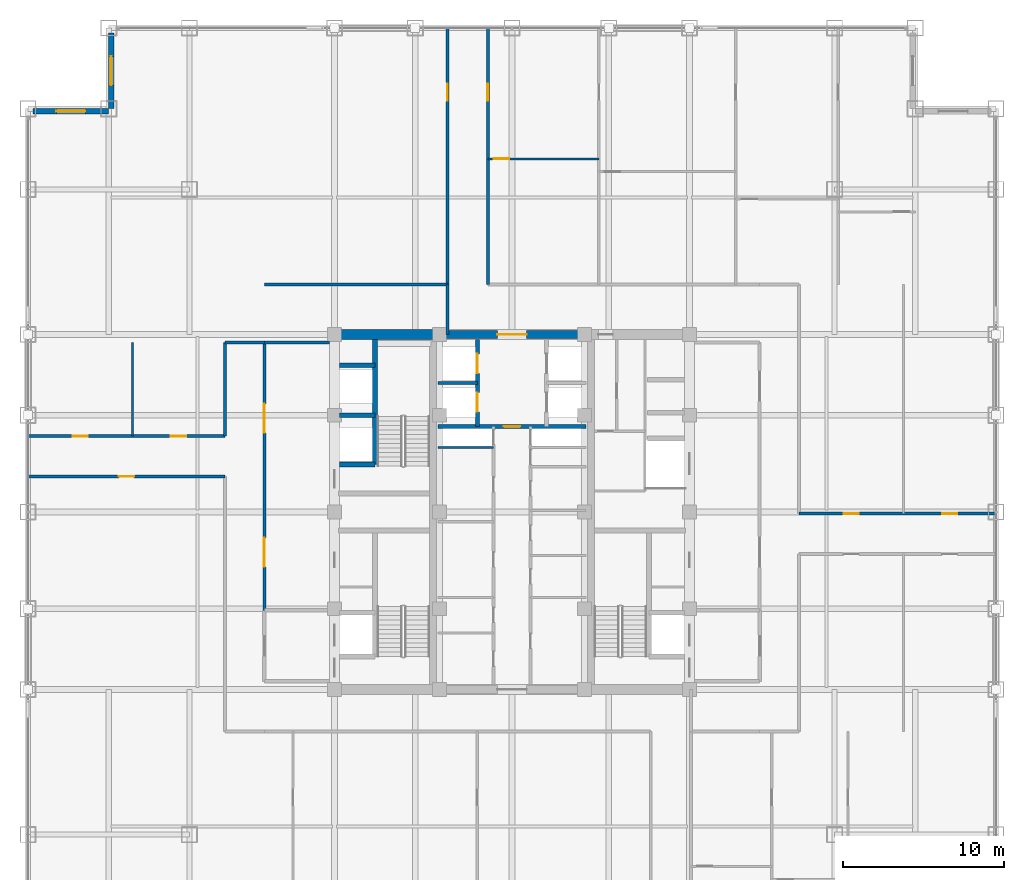
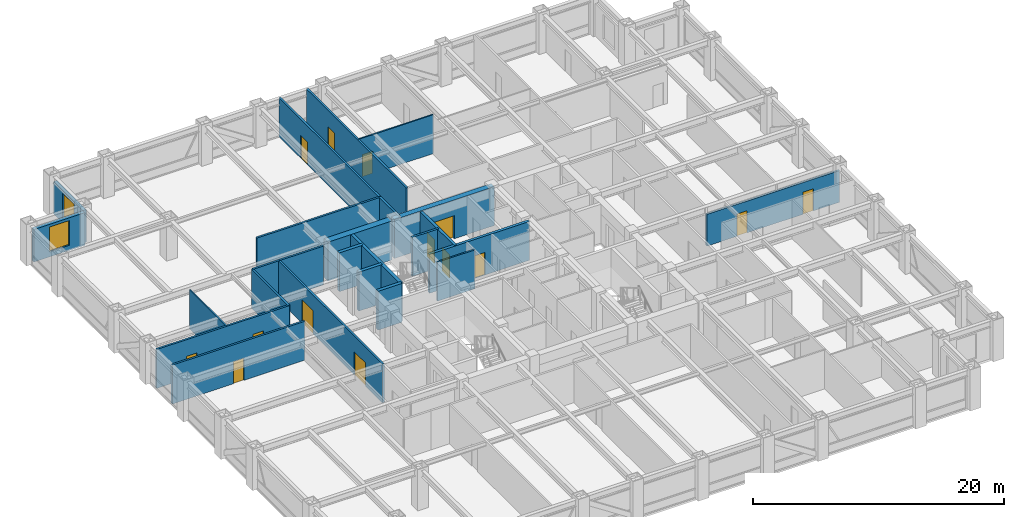
# One storey, part 22 of 25: 25 walls, 14 doors, 2 windows, 16 openings.
"""IFC4 building model written with IfcOpenShell, lengths in metres."""

from ifc_helpers import new_model, si_unit, direction, frame, frame_2d, origin, place, context, subcontext, project, spatial, rectangle, extrude, source, transform, mapped, material, layer, layer_set, type_object, element, fill, save


model = new_model("IFC4")

# Units and contexts
model_context = context("Model", 3, precision=1e-05, world=origin(), true_north=direction((0.0, 1.0)))
body_context = subcontext(model_context, "Body", "Model", "MODEL_VIEW")
ifc_project = project(units=[si_unit("LENGTHUNIT", "METRE"), si_unit("AREAUNIT", "SQUARE_METRE"), si_unit("VOLUMEUNIT", "CUBIC_METRE"), si_unit("PLANEANGLEUNIT", "RADIAN"), si_unit("MASSUNIT", "GRAM", prefix="KILO")], contexts=[model_context])

# Site, building, storey
site_placement = place(None, origin())
site = spatial("IfcSite", under=ifc_project, at=site_placement, CompositionType="ELEMENT")
building_placement = place(site_placement, origin())
building = spatial("IfcBuilding", under=site, at=building_placement, Name="Khorayat Bourse Tower", CompositionType="ELEMENT")
storey_placement = place(building_placement, frame((0.0, 0.0, 247.10009765625)))
storey = spatial("IfcBuildingStorey", under=building, at=storey_placement, Name="L58", CompositionType="ELEMENT", Elevation=247.10009765625)

# Wall, opening, door
ifc_material_1 = material(Name="Concrete C52/65", Category="concrete")
ifc_layer_1 = layer(ifc_material_1, 0.5)
ifc_layer_set_1 = layer_set([ifc_layer_1], Name="Concrete C52/65")
wall_type_1 = type_object("IfcWallType", Name="WAL-CORE-500", PredefinedType="SHEAR", material=ifc_layer_set_1)
shared_shape_1 = source(origin(), body_context, "Body", "SweptSolid", [
    extrude(rectangle(XDim=9.2001953125, YDim=0.5, at=frame_2d((4.60009765625, 0.0))), origin(), (0.0, 0.0, 1.0), 3.77978515625),
])
wall_1_placement = place(storey_placement, frame((-4.60009765625, 11.0, 0.0), z_axis=(0.0, 0.0, 1.0), x_axis=(1.0, 0.0, 0.0)))
wall_1 = element("IfcWall", 1, at=wall_1_placement, inside=storey, type_object=wall_type_1, Name="L58 Core Shear Wall CORE-N", PredefinedType="SHEAR", context=body_context, shape_type="MappedRepresentation", body=[
    mapped(shared_shape_1, transform((0.0, 0.0, 0.0), scale=1.0)),
])
shared_shape_2 = source(origin(), body_context, "Body", "SweptSolid", [
    extrude(rectangle(XDim=1.800048828125, YDim=2.25, at=frame_2d((0.89990234375, 1.125))), frame((0.0, 0.260009765625, 0.0), z_axis=(0.0, -1.0, 0.0), x_axis=(1.0, 0.0, 0.0)), (0.0, 0.0, 1.0), 0.52001953125),
])
opening_1_placement = place(wall_1_placement, frame((3.699951171875, 0.0, 0.0)))
opening_1 = element("IfcOpeningElement", 2, at=opening_1_placement, cuts=wall_1, Name="Opening DI-03", PredefinedType="OPENING", context=body_context, shape_type="MappedRepresentation", body=[
    mapped(shared_shape_2, transform((0.0, 0.0, 0.0), scale=1.0)),
])
ifc_material_2 = material(Name="Fire-rated hardwood vision-panel double leaf", Category="wood")
door_type_1 = type_object("IfcDoorType", Name="DR-INT-CORR-1800", OperationType="NOTDEFINED", PredefinedType="DOOR", material=ifc_material_2)
shared_shape_3 = source(origin(), body_context, "Body", "SweptSolid", [
    extrude(rectangle(XDim=1.800048828125, YDim=2.25, at=frame_2d((0.89990234375, 1.125))), frame((0.0, 0.02490234375, 0.0), z_axis=(0.0, -1.0, 0.0), x_axis=(1.0, 0.0, 0.0)), (0.0, 0.0, 1.0), 0.050048828125),
])
door_1_placement = place(opening_1_placement, origin())
door_1 = element("IfcDoor", 3, at=door_1_placement, inside=storey, type_object=door_type_1, Name="L58 Mid-Rise Lift Lobby Door", OperationType="SINGLE_SWING_RIGHT", OverallHeight=2.25, OverallWidth=1.800048828125, PredefinedType="DOOR", context=body_context, shape_type="MappedRepresentation", body=[
    mapped(shared_shape_3, transform((0.0, 0.0, 0.0), scale=1.0)),
])
fill(opening_1, door_1)

# Wall
ifc_material_3 = material(Name="Concrete C60/75", Category="concrete")
ifc_layer_2 = layer(ifc_material_3, 0.60009765625)
ifc_layer_set_2 = layer_set([ifc_layer_2], Name="Concrete C60/75")
wall_type_2 = type_object("IfcWallType", Name="WAL-CORE-600", PredefinedType="SHEAR", material=ifc_layer_set_2)
shared_shape_4 = source(origin(), body_context, "Body", "SweptSolid", [
    extrude(rectangle(XDim=5.89990234375, YDim=0.60009765625, at=frame_2d((2.949951171875, 0.0))), origin(), (0.0, 0.0, 1.0), 3.77978515625),
])
wall_2_placement = place(storey_placement, frame((-10.75, 11.0, 0.0), z_axis=(0.0, 0.0, 1.0), x_axis=(1.0, 0.0, 0.0)))
element("IfcWall", 4, at=wall_2_placement, inside=storey, type_object=wall_type_2, Name="L58 Core Shear Wall PIER-WN", PredefinedType="SHEAR", context=body_context, shape_type="MappedRepresentation", body=[
    mapped(shared_shape_4, transform((0.0, 0.0, 0.0), scale=1.0)),
])

# Wall, opening, window
ifc_material_4 = material(Name="Precast concrete C45/55", Category="concrete")
ifc_layer_3 = layer(ifc_material_4, 0.320068359375)
ifc_layer_set_3 = layer_set([ifc_layer_3], Name="Precast concrete C45/55")
wall_type_3 = type_object("IfcWallType", Name="WAL-EXT-STONE-320", PredefinedType="STANDARD", material=ifc_layer_set_3)
shared_shape_5 = source(origin(), body_context, "Body", "SweptSolid", [
    extrude(rectangle(XDim=4.679931640625, YDim=0.320068359375, at=frame_2d((2.33984375, 0.0))), origin(), (0.0, 0.0, 1.0), 3.163818359375),
])
wall_3_placement = place(storey_placement, frame((-24.840087890625, 25.0, 0.0), z_axis=(0.0, 0.0, 1.0), x_axis=(0.0, 1.0, 0.0)))
wall_3 = element("IfcWall", 5, at=wall_3_placement, inside=storey, type_object=wall_type_3, Name="L58 Re-Entrant Notch Limestone Wall NW-V", PredefinedType="STANDARD", context=body_context, shape_type="MappedRepresentation", body=[
    mapped(shared_shape_5, transform((0.0, 0.0, 0.0), scale=1.0)),
])
shared_shape_6 = source(origin(), body_context, "Body", "SweptSolid", [
    extrude(rectangle(XDim=1.800048828125, YDim=2.39990234375, at=frame_2d((0.89990234375, 1.199951171875))), frame((0.0, 0.169921875, 0.0), z_axis=(0.0, -1.0, 0.0), x_axis=(1.0, 0.0, 0.0)), (0.0, 0.0, 1.0), 0.340087890625),
])
opening_2_placement = place(wall_3_placement, frame((1.43994140625, 0.0, 0.5)))
opening_2 = element("IfcOpeningElement", 6, at=opening_2_placement, cuts=wall_3, Name="Opening WN-04", PredefinedType="OPENING", context=body_context, shape_type="MappedRepresentation", body=[
    mapped(shared_shape_6, transform((0.0, 0.0, 0.0), scale=1.0)),
])
ifc_material_5 = material(Name="Low-E acoustic laminated double glazing", Category="glass")
window_type = type_object("IfcWindowType", Name="WIN-NOTCH-1800x2400", PartitioningType="SINGLE_PANEL", PredefinedType="WINDOW", material=ifc_material_5)
shared_shape_7 = source(origin(), body_context, "Body", "SweptSolid", [
    extrude(rectangle(XDim=1.800048828125, YDim=2.39990234375, at=frame_2d((0.89990234375, 1.199951171875))), frame((0.0, 0.030029296875, 0.0), z_axis=(0.0, -1.0, 0.0), x_axis=(1.0, 0.0, 0.0)), (0.0, 0.0, 1.0), 0.06005859375),
])
window_1_placement = place(opening_2_placement, origin())
window_1 = element("IfcWindow", 7, at=window_1_placement, inside=storey, type_object=window_type, Name="L58 Facade Window 1", OverallHeight=2.39990234375, OverallWidth=1.800048828125, PartitioningType="SINGLE_PANEL", PredefinedType="WINDOW", context=body_context, shape_type="MappedRepresentation", body=[
    mapped(shared_shape_7, transform((0.0, 0.0, 0.0), scale=1.0)),
])
fill(opening_2, window_1)

wall_4_placement = place(storey_placement, frame((-25.0, 24.840087890625, 0.0), z_axis=(0.0, 0.0, 1.0), x_axis=(-1.0, 0.0, 0.0)))
wall_4 = element("IfcWall", 8, at=wall_4_placement, inside=storey, type_object=wall_type_3, Name="L58 Re-Entrant Notch Limestone Wall NW-H", PredefinedType="STANDARD", context=body_context, shape_type="MappedRepresentation", body=[
    mapped(shared_shape_5, transform((0.0, 0.0, 0.0), scale=1.0)),
])
opening_3_placement = place(wall_4_placement, frame((1.43994140625, 0.0, 0.5)))
opening_3 = element("IfcOpeningElement", 9, at=opening_3_placement, cuts=wall_4, Name="Opening WN-04", PredefinedType="OPENING", context=body_context, shape_type="MappedRepresentation", body=[
    mapped(shared_shape_6, transform((0.0, 0.0, 0.0), scale=1.0)),
])
window_2_placement = place(opening_3_placement, origin())
window_2 = element("IfcWindow", 10, at=window_2_placement, inside=storey, type_object=window_type, Name="L58 Facade Window 1", OverallHeight=2.39990234375, OverallWidth=1.800048828125, PartitioningType="SINGLE_PANEL", PredefinedType="WINDOW", context=body_context, shape_type="MappedRepresentation", body=[
    mapped(shared_shape_7, transform((0.0, 0.0, 0.0), scale=1.0)),
])
fill(opening_3, window_2)

# Walls
ifc_material_6 = material(Name="Concrete C50/60", Category="concrete")
ifc_layer_4 = layer(ifc_material_6, 0.300048828125)
ifc_layer_set_4 = layer_set([ifc_layer_4], Name="Concrete C50/60")
wall_type_4 = type_object("IfcWallType", Name="WAL-SHAFT-300", PredefinedType="SHEAR", material=ifc_layer_set_4)
shared_shape_8 = source(origin(), body_context, "Body", "SweptSolid", [
    extrude(rectangle(XDim=2.199951171875, YDim=0.300048828125, at=frame_2d((1.10009765625, 0.0))), origin(), (0.0, 0.0, 1.0), 3.77978515625),
])
for number, where, z_axis, x_axis, name in (
    (11, (-10.699951171875, 2.949951171875, 0.0), (0.0, 0.0, 1.0), (1.0, 0.0, 0.0), "L58 Partition WAL-L58-WPIER-H1S"),
    (12, (-10.699951171875, 6.0, 0.0), (0.0, 0.0, 1.0), (1.0, 0.0, 0.0), "L58 Partition WAL-L58-WPIER-H12"),
    (13, (-10.699951171875, 9.10009765625, 0.0), (0.0, 0.0, 1.0), (1.0, 0.0, 0.0), "L58 Partition WAL-L58-WPIER-H2N"),
):
    element("IfcWall", number, at=place(storey_placement, frame(where, z_axis=z_axis, x_axis=x_axis)), inside=storey, type_object=wall_type_4, Name=name, PredefinedType="SHEAR", context=body_context, shape_type="MappedRepresentation", body=[
        mapped(shared_shape_8, transform((0.0, 0.0, 0.0), scale=1.0)),
    ])
shared_shape_9 = source(origin(), body_context, "Body", "SweptSolid", [
    extrude(rectangle(XDim=7.75, YDim=0.300048828125, at=frame_2d((3.875, 0.0))), origin(), (0.0, 0.0, 1.0), 3.77978515625),
])
wall_5_placement = place(storey_placement, frame((-8.5, 2.949951171875, 0.0), z_axis=(0.0, 0.0, 1.0), x_axis=(0.0, 1.0, 0.0)))
element("IfcWall", 14, at=wall_5_placement, inside=storey, type_object=wall_type_4, Name="L58 Partition WAL-L58-WPIER-ST2S", PredefinedType="SHEAR", context=body_context, shape_type="MappedRepresentation", body=[
    mapped(shared_shape_9, transform((0.0, 0.0, 0.0), scale=1.0)),
])
ifc_material_7 = material(Name="Gypsum plasterboard acoustic stud wall")
ifc_layer_5 = layer(ifc_material_7, 0.179931640625)
ifc_layer_set_5 = layer_set([ifc_layer_5], Name="Gypsum plasterboard acoustic stud wall")
wall_type_5 = type_object("IfcWallType", Name="WAL-PART-CORR-180", PredefinedType="PARTITIONING", material=ifc_layer_set_5)
shared_shape_10 = source(origin(), body_context, "Body", "SweptSolid", [
    extrude(rectangle(XDim=4.050048828125, YDim=0.179931640625, at=frame_2d((2.02490234375, 0.0))), origin(), (0.0, 0.0, 1.0), 3.77978515625),
])
wall_6_placement = place(storey_placement, frame((-15.35009765625, 10.5, 0.0), z_axis=(0.0, 0.0, 1.0), x_axis=(1.0, 0.0, 0.0)))
element("IfcWall", 15, at=wall_6_placement, inside=storey, type_object=wall_type_5, Name="L58 Partition WAL-L58-WLOB-N", PredefinedType="PARTITIONING", context=body_context, shape_type="MappedRepresentation", body=[
    mapped(shared_shape_10, transform((0.0, 0.0, 0.0), scale=1.0)),
])

# Wall, openings, doors
shared_shape_11 = source(origin(), body_context, "Body", "SweptSolid", [
    extrude(rectangle(XDim=16.60009765625, YDim=0.179931640625, at=frame_2d((8.300048828125, 0.0))), origin(), (0.0, 0.0, 1.0), 3.77978515625),
])
wall_7_placement = place(storey_placement, frame((-15.35009765625, -6.10009765625, 0.0), z_axis=(0.0, 0.0, 1.0), x_axis=(0.0, 1.0, 0.0)))
wall_7 = element("IfcWall", 16, at=wall_7_placement, inside=storey, type_object=wall_type_5, Name="L58 Partition WAL-L58-WLOB-W", PredefinedType="PARTITIONING", context=body_context, shape_type="MappedRepresentation", body=[
    mapped(shared_shape_11, transform((0.0, 0.0, 0.0), scale=1.0)),
])
shared_shape_12 = source(origin(), body_context, "Body", "SweptSolid", [
    extrude(rectangle(XDim=1.800048828125, YDim=2.25, at=frame_2d((0.89990234375, 1.125))), frame((0.0, 0.099853515625, 0.0), z_axis=(0.0, -1.0, 0.0), x_axis=(1.0, 0.0, 0.0)), (0.0, 0.0, 1.0), 0.199951171875),
])
opening_4_placement = place(wall_7_placement, frame((2.699951171875, 0.0, 0.0)))
opening_4 = element("IfcOpeningElement", 17, at=opening_4_placement, cuts=wall_7, Name="Opening DI-03", PredefinedType="OPENING", context=body_context, shape_type="MappedRepresentation", body=[
    mapped(shared_shape_12, transform((0.0, 0.0, 0.0), scale=1.0)),
])
opening_5_placement = place(wall_7_placement, frame((11.0, 0.0, 0.0)))
opening_5 = element("IfcOpeningElement", 18, at=opening_5_placement, cuts=wall_7, Name="Opening DI-03", PredefinedType="OPENING", context=body_context, shape_type="MappedRepresentation", body=[
    mapped(shared_shape_12, transform((0.0, 0.0, 0.0), scale=1.0)),
])
door_2_placement = place(opening_4_placement, origin())
door_2 = element("IfcDoor", 19, at=door_2_placement, inside=storey, type_object=door_type_1, Name="L58 West Core Lobby South Door", OperationType="SINGLE_SWING_LEFT", OverallHeight=2.25, OverallWidth=1.800048828125, PredefinedType="DOOR", context=body_context, shape_type="MappedRepresentation", body=[
    mapped(shared_shape_3, transform((0.0, 0.0, 0.0), scale=1.0)),
])
fill(opening_4, door_2)
door_3_placement = place(opening_5_placement, origin())
door_3 = element("IfcDoor", 20, at=door_3_placement, inside=storey, type_object=door_type_1, Name="L58 West Core Lobby North Door", OperationType="SINGLE_SWING_RIGHT", OverallHeight=2.25, OverallWidth=1.800048828125, PredefinedType="DOOR", context=body_context, shape_type="MappedRepresentation", body=[
    mapped(shared_shape_3, transform((0.0, 0.0, 0.0), scale=1.0)),
])
fill(opening_5, door_3)

# Wall
ifc_material_8 = material(Name="Gypsum plasterboard twin-frame partition")
ifc_layer_6 = layer(ifc_material_8, 0.14990234375)
ifc_layer_set_6 = layer_set([ifc_layer_6], Name="Gypsum plasterboard twin-frame partition")
wall_type_6 = type_object("IfcWallType", Name="WAL-PART-SUITE-150", PredefinedType="PARTITIONING", material=ifc_layer_set_6)
shared_shape_13 = source(origin(), body_context, "Body", "SweptSolid", [
    extrude(rectangle(XDim=3.4501953125, YDim=0.14990234375, at=frame_2d((1.72509765625, 0.0))), origin(), (0.0, 0.0, 1.0), 3.77978515625),
])
wall_8_placement = place(storey_placement, frame((-4.60009765625, 4.0, 0.0), z_axis=(0.0, 0.0, 1.0), x_axis=(1.0, 0.0, 0.0)))
element("IfcWall", 21, at=wall_8_placement, inside=storey, type_object=wall_type_6, Name="L58 Partition WAL-L58-CRSW-S", PredefinedType="PARTITIONING", context=body_context, shape_type="MappedRepresentation", body=[
    mapped(shared_shape_13, transform((0.0, 0.0, 0.0), scale=1.0)),
])

# Wall, openings, doors
shared_shape_14 = source(origin(), body_context, "Body", "SweptSolid", [
    extrude(rectangle(XDim=5.39990234375, YDim=0.25, at=frame_2d((2.699951171875, 0.0))), origin(), (0.0, 0.0, 1.0), 3.77978515625),
])
wall_9_placement = place(storey_placement, frame((-2.14990234375, 5.300048828125, 0.0), z_axis=(0.0, 0.0, 1.0), x_axis=(0.0, 1.0, 0.0)))
wall_9 = element("IfcWall", 22, at=wall_9_placement, inside=storey, type_object=wall_type_4, Name="L58 Partition WAL-L58-B2-W", PredefinedType="SHEAR", context=body_context, shape_type="MappedRepresentation", body=[
    mapped(shared_shape_14, transform((0.0, 0.0, 0.0), scale=1.0)),
])
shared_shape_15 = source(origin(), body_context, "Body", "SweptSolid", [
    extrude(rectangle(XDim=1.199951171875, YDim=2.300048828125, at=frame_2d((0.60009765625, 1.14990234375))), frame((0.0, 0.135009765625, 0.0), z_axis=(0.0, -1.0, 0.0), x_axis=(1.0, 0.0, 0.0)), (0.0, 0.0, 1.0), 0.27001953125),
])
opening_6_placement = place(wall_9_placement, frame((3.300048828125, 0.0, 0.0)))
opening_6 = element("IfcOpeningElement", 23, at=opening_6_placement, cuts=wall_9, Name="Opening LD-01", PredefinedType="OPENING", context=body_context, shape_type="MappedRepresentation", body=[
    mapped(shared_shape_15, transform((0.0, 0.0, 0.0), scale=1.0)),
])
opening_7_placement = place(wall_9_placement, frame((0.89990234375, 0.0, 0.0)))
opening_7 = element("IfcOpeningElement", 24, at=opening_7_placement, cuts=wall_9, Name="Opening LD-01", PredefinedType="OPENING", context=body_context, shape_type="MappedRepresentation", body=[
    mapped(shared_shape_15, transform((0.0, 0.0, 0.0), scale=1.0)),
])
ifc_material_9 = material(Name="Brushed bronze stainless-steel sliding door", Category="steel")
door_type_2 = type_object("IfcDoorType", Name="DR-LIFT-PASS-1200", OperationType="NOTDEFINED", PredefinedType="DOOR", material=ifc_material_9)
shared_shape_16 = source(origin(), body_context, "Body", "SweptSolid", [
    extrude(rectangle(XDim=1.199951171875, YDim=2.300048828125, at=frame_2d((0.60009765625, 1.14990234375))), frame((0.0, 0.02490234375, 0.0), z_axis=(0.0, -1.0, 0.0), x_axis=(1.0, 0.0, 0.0)), (0.0, 0.0, 1.0), 0.050048828125),
])
door_4_placement = place(opening_6_placement, origin())
door_4 = element("IfcDoor", 25, at=door_4_placement, inside=storey, type_object=door_type_2, Name="L58 Lift PL-M1 Sliding Landing Door", OperationType="SLIDING_TO_LEFT", OverallHeight=2.300048828125, OverallWidth=1.199951171875, PredefinedType="DOOR", context=body_context, shape_type="MappedRepresentation", body=[
    mapped(shared_shape_16, transform((0.0, 0.0, 0.0), scale=1.0)),
])
fill(opening_6, door_4)
door_5_placement = place(opening_7_placement, origin())
door_5 = element("IfcDoor", 26, at=door_5_placement, inside=storey, type_object=door_type_2, Name="L58 Lift PL-M3 Sliding Landing Door", OperationType="SLIDING_TO_LEFT", OverallHeight=2.300048828125, OverallWidth=1.199951171875, PredefinedType="DOOR", context=body_context, shape_type="MappedRepresentation", body=[
    mapped(shared_shape_16, transform((0.0, 0.0, 0.0), scale=1.0)),
])
fill(opening_7, door_5)

# Wall
shared_shape_17 = source(origin(), body_context, "Body", "SweptSolid", [
    extrude(rectangle(XDim=2.4501953125, YDim=0.199951171875, at=frame_2d((1.22509765625, 0.0))), origin(), (0.0, 0.0, 1.0), 3.77978515625),
])
wall_10_placement = place(storey_placement, frame((-4.60009765625, 8.0, 0.0), z_axis=(0.0, 0.0, 1.0), x_axis=(1.0, 0.0, 0.0)))
element("IfcWall", 27, at=wall_10_placement, inside=storey, type_object=wall_type_4, Name="L58 Partition WAL-L58-B2-MW", PredefinedType="SHEAR", context=body_context, shape_type="MappedRepresentation", body=[
    mapped(shared_shape_17, transform((0.0, 0.0, 0.0), scale=1.0)),
])

# Wall, opening, door
shared_shape_18 = source(origin(), body_context, "Body", "SweptSolid", [
    extrude(rectangle(XDim=9.2001953125, YDim=0.25, at=frame_2d((4.60009765625, 0.0))), origin(), (0.0, 0.0, 1.0), 3.77978515625),
])
wall_11_placement = place(storey_placement, frame((-4.60009765625, 5.300048828125, 0.0), z_axis=(0.0, 0.0, 1.0), x_axis=(1.0, 0.0, 0.0)))
wall_11 = element("IfcWall", 28, at=wall_11_placement, inside=storey, type_object=wall_type_4, Name="L58 Partition WAL-L58-B2-S", PredefinedType="SHEAR", context=body_context, shape_type="MappedRepresentation", body=[
    mapped(shared_shape_18, transform((0.0, 0.0, 0.0), scale=1.0)),
])
shared_shape_19 = source(origin(), body_context, "Body", "SweptSolid", [
    extrude(rectangle(XDim=1.050048828125, YDim=2.199951171875, at=frame_2d((0.52490234375, 1.10009765625))), frame((0.0, 0.135009765625, 0.0), z_axis=(0.0, -1.0, 0.0), x_axis=(1.0, 0.0, 0.0)), (0.0, 0.0, 1.0), 0.27001953125),
])
opening_8_placement = place(wall_11_placement, frame((4.074951171875, 0.0, 0.0)))
opening_8 = element("IfcOpeningElement", 29, at=opening_8_placement, cuts=wall_11, Name="Opening DI-04", PredefinedType="OPENING", context=body_context, shape_type="MappedRepresentation", body=[
    mapped(shared_shape_19, transform((0.0, 0.0, 0.0), scale=1.0)),
])
ifc_material_10 = material(Name="Fire-rated oak veneer suite entrance door")
door_type_3 = type_object("IfcDoorType", Name="DR-INT-SUITE-1050", OperationType="NOTDEFINED", PredefinedType="DOOR", material=ifc_material_10)
shared_shape_20 = source(origin(), body_context, "Body", "SweptSolid", [
    extrude(rectangle(XDim=1.050048828125, YDim=2.199951171875, at=frame_2d((0.52490234375, 1.10009765625))), frame((0.0, 0.02490234375, 0.0), z_axis=(0.0, -1.0, 0.0), x_axis=(1.0, 0.0, 0.0)), (0.0, 0.0, 1.0), 0.050048828125),
])
door_6_placement = place(opening_8_placement, origin())
door_6 = element("IfcDoor", 30, at=door_6_placement, inside=storey, type_object=door_type_3, Name="L58 Core Spine North Door", OperationType="SINGLE_SWING_RIGHT", OverallHeight=2.199951171875, OverallWidth=1.050048828125, PredefinedType="DOOR", context=body_context, shape_type="MappedRepresentation", body=[
    mapped(shared_shape_20, transform((0.0, 0.0, 0.0), scale=1.0)),
])
fill(opening_8, door_6)

# Wall
shared_shape_21 = source(origin(), body_context, "Body", "SweptSolid", [
    extrude(rectangle(XDim=2.449951171875, YDim=0.179931640625, at=frame_2d((1.22509765625, 0.0))), origin(), (0.0, 0.0, 1.0), 3.77978515625),
])
wall_12_placement = place(storey_placement, frame((-17.800048828125, 10.5, 0.0), z_axis=(0.0, 0.0, 1.0), x_axis=(1.0, 0.0, 0.0)))
element("IfcWall", 31, at=wall_12_placement, inside=storey, type_object=wall_type_5, Name="L58 Partition WAL-L58-C2-WN", PredefinedType="PARTITIONING", context=body_context, shape_type="MappedRepresentation", body=[
    mapped(shared_shape_21, transform((0.0, 0.0, 0.0), scale=1.0)),
])

# Wall, opening, door
shared_shape_22 = source(origin(), body_context, "Body", "SweptSolid", [
    extrude(rectangle(XDim=12.199951171875, YDim=0.179931640625, at=frame_2d((6.10009765625, 0.0))), origin(), (0.0, 0.0, 1.0), 3.77978515625),
])
wall_13_placement = place(storey_placement, frame((-30.0, 2.199951171875, 0.0), z_axis=(0.0, 0.0, 1.0), x_axis=(1.0, 0.0, 0.0)))
wall_13 = element("IfcWall", 32, at=wall_13_placement, inside=storey, type_object=wall_type_5, Name="L58 Partition WAL-L58-WS-SPK", PredefinedType="PARTITIONING", context=body_context, shape_type="MappedRepresentation", body=[
    mapped(shared_shape_22, transform((0.0, 0.0, 0.0), scale=1.0)),
])
shared_shape_23 = source(origin(), body_context, "Body", "SweptSolid", [
    extrude(rectangle(XDim=0.949951171875, YDim=2.14990234375, at=frame_2d((0.47509765625, 1.074951171875))), frame((0.0, 0.099853515625, 0.0), z_axis=(0.0, -1.0, 0.0), x_axis=(1.0, 0.0, 0.0)), (0.0, 0.0, 1.0), 0.199951171875),
])
opening_9_placement = place(wall_13_placement, frame((5.625, 0.0, 0.0)))
opening_9 = element("IfcOpeningElement", 33, at=opening_9_placement, cuts=wall_13, Name="Opening DI-05", PredefinedType="OPENING", context=body_context, shape_type="MappedRepresentation", body=[
    mapped(shared_shape_23, transform((0.0, 0.0, 0.0), scale=1.0)),
])
ifc_material_11 = material(Name="Acoustic oak veneer office door")
door_type_4 = type_object("IfcDoorType", Name="DR-INT-OFFICE-950", OperationType="NOTDEFINED", PredefinedType="DOOR", material=ifc_material_11)
shared_shape_24 = source(origin(), body_context, "Body", "SweptSolid", [
    extrude(rectangle(XDim=0.949951171875, YDim=2.14990234375, at=frame_2d((0.47509765625, 1.074951171875))), frame((0.0, 0.02490234375, 0.0), z_axis=(0.0, -1.0, 0.0), x_axis=(1.0, 0.0, 0.0)), (0.0, 0.0, 1.0), 0.050048828125),
])
door_7_placement = place(opening_9_placement, origin())
door_7 = element("IfcDoor", 34, at=door_7_placement, inside=storey, type_object=door_type_4, Name="L58 Members Club Room WS Door", OperationType="SINGLE_SWING_LEFT", OverallHeight=2.14990234375, OverallWidth=0.949951171875, PredefinedType="DOOR", context=body_context, shape_type="MappedRepresentation", body=[
    mapped(shared_shape_24, transform((0.0, 0.0, 0.0), scale=1.0)),
])
fill(opening_9, door_7)

# Wall, openings, doors
wall_14_placement = place(storey_placement, frame((-30.0, 4.699951171875, 0.0), z_axis=(0.0, 0.0, 1.0), x_axis=(1.0, 0.0, 0.0)))
wall_14 = element("IfcWall", 35, at=wall_14_placement, inside=storey, type_object=wall_type_5, Name="L58 Partition WAL-L58-WN-SPK", PredefinedType="PARTITIONING", context=body_context, shape_type="MappedRepresentation", body=[
    mapped(shared_shape_22, transform((0.0, 0.0, 0.0), scale=1.0)),
])
opening_10_placement = place(wall_14_placement, frame((2.758056640625, 0.0, 0.0)))
opening_10 = element("IfcOpeningElement", 36, at=opening_10_placement, cuts=wall_14, Name="Opening DI-05", PredefinedType="OPENING", context=body_context, shape_type="MappedRepresentation", body=[
    mapped(shared_shape_23, transform((0.0, 0.0, 0.0), scale=1.0)),
])
opening_11_placement = place(wall_14_placement, frame((8.85791015625, 0.0, 0.0)))
opening_11 = element("IfcOpeningElement", 37, at=opening_11_placement, cuts=wall_14, Name="Opening DI-05", PredefinedType="OPENING", context=body_context, shape_type="MappedRepresentation", body=[
    mapped(shared_shape_23, transform((0.0, 0.0, 0.0), scale=1.0)),
])
door_8_placement = place(opening_10_placement, origin())
door_8 = element("IfcDoor", 38, at=door_8_placement, inside=storey, type_object=door_type_4, Name="L58 Staff Tea Pantry WNA Door", OperationType="SINGLE_SWING_LEFT", OverallHeight=2.14990234375, OverallWidth=0.949951171875, PredefinedType="DOOR", context=body_context, shape_type="MappedRepresentation", body=[
    mapped(shared_shape_24, transform((0.0, 0.0, 0.0), scale=1.0)),
])
fill(opening_10, door_8)
door_9_placement = place(opening_11_placement, origin())
door_9 = element("IfcDoor", 39, at=door_9_placement, inside=storey, type_object=door_type_4, Name="L58 Quantitative Research Study WNB Door", OperationType="SINGLE_SWING_RIGHT", OverallHeight=2.14990234375, OverallWidth=0.949951171875, PredefinedType="DOOR", context=body_context, shape_type="MappedRepresentation", body=[
    mapped(shared_shape_24, transform((0.0, 0.0, 0.0), scale=1.0)),
])
fill(opening_11, door_9)

# Wall
shared_shape_25 = source(origin(), body_context, "Body", "SweptSolid", [
    extrude(rectangle(XDim=3.10009765625, YDim=0.179931640625, at=frame_2d((1.550048828125, 0.0))), origin(), (0.0, 0.0, 1.0), 3.77978515625),
])
wall_15_placement = place(storey_placement, frame((-4.0, 11.0, 0.0), z_axis=(0.0, 0.0, 1.0), x_axis=(0.0, 1.0, 0.0)))
element("IfcWall", 40, at=wall_15_placement, inside=storey, type_object=wall_type_5, Name="L58 Partition WAL-L58-C2-NCW", PredefinedType="PARTITIONING", context=body_context, shape_type="MappedRepresentation", body=[
    mapped(shared_shape_25, transform((0.0, 0.0, 0.0), scale=1.0)),
])

# Wall, opening, door
shared_shape_26 = source(origin(), body_context, "Body", "SweptSolid", [
    extrude(rectangle(XDim=15.89990234375, YDim=0.179931640625, at=frame_2d((7.949951171875, 0.0))), origin(), (0.0, 0.0, 1.0), 3.77978515625),
])
wall_16_placement = place(storey_placement, frame((-4.0, 14.10009765625, 0.0), z_axis=(0.0, 0.0, 1.0), x_axis=(0.0, 1.0, 0.0)))
wall_16 = element("IfcWall", 41, at=wall_16_placement, inside=storey, type_object=wall_type_5, Name="L58 Partition WAL-L58-QNW-SPK", PredefinedType="PARTITIONING", context=body_context, shape_type="MappedRepresentation", body=[
    mapped(shared_shape_26, transform((0.0, 0.0, 0.0), scale=1.0)),
])
shared_shape_27 = source(origin(), body_context, "Body", "SweptSolid", [
    extrude(rectangle(XDim=1.050048828125, YDim=2.199951171875, at=frame_2d((0.52490234375, 1.10009765625))), frame((0.0, 0.099853515625, 0.0), z_axis=(0.0, -1.0, 0.0), x_axis=(1.0, 0.0, 0.0)), (0.0, 0.0, 1.0), 0.199951171875),
])
opening_12_placement = place(wall_16_placement, frame((11.39990234375, 0.0, 0.0)))
opening_12 = element("IfcOpeningElement", 42, at=opening_12_placement, cuts=wall_16, Name="Opening DI-04", PredefinedType="OPENING", context=body_context, shape_type="MappedRepresentation", body=[
    mapped(shared_shape_27, transform((0.0, 0.0, 0.0), scale=1.0)),
])
door_10_placement = place(opening_12_placement, origin())
door_10 = element("IfcDoor", 43, at=door_10_placement, inside=storey, type_object=door_type_3, Name="L58 North-West Radial Spoke Entry", OperationType="SINGLE_SWING_LEFT", OverallHeight=2.199951171875, OverallWidth=1.050048828125, PredefinedType="DOOR", context=body_context, shape_type="MappedRepresentation", body=[
    mapped(shared_shape_20, transform((0.0, 0.0, 0.0), scale=1.0)),
])
fill(opening_12, door_10)

wall_17_placement = place(storey_placement, frame((-1.5, 14.10009765625, 0.0), z_axis=(0.0, 0.0, 1.0), x_axis=(0.0, 1.0, 0.0)))
wall_17 = element("IfcWall", 44, at=wall_17_placement, inside=storey, type_object=wall_type_5, Name="L58 Partition WAL-L58-QNE-SPK", PredefinedType="PARTITIONING", context=body_context, shape_type="MappedRepresentation", body=[
    mapped(shared_shape_26, transform((0.0, 0.0, 0.0), scale=1.0)),
])
opening_13_placement = place(wall_17_placement, frame((11.39990234375, 0.0, 0.0)))
opening_13 = element("IfcOpeningElement", 45, at=opening_13_placement, cuts=wall_17, Name="Opening DI-04", PredefinedType="OPENING", context=body_context, shape_type="MappedRepresentation", body=[
    mapped(shared_shape_27, transform((0.0, 0.0, 0.0), scale=1.0)),
])
door_11_placement = place(opening_13_placement, origin())
door_11 = element("IfcDoor", 46, at=door_11_placement, inside=storey, type_object=door_type_3, Name="L58 North-East Radial Spoke Entry", OperationType="SINGLE_SWING_LEFT", OverallHeight=2.199951171875, OverallWidth=1.050048828125, PredefinedType="DOOR", context=body_context, shape_type="MappedRepresentation", body=[
    mapped(shared_shape_20, transform((0.0, 0.0, 0.0), scale=1.0)),
])
fill(opening_13, door_11)

# Walls
shared_shape_28 = source(origin(), body_context, "Body", "SweptSolid", [
    extrude(rectangle(XDim=5.800048828125, YDim=0.179931640625, at=frame_2d((2.89990234375, 0.0))), origin(), (0.0, 0.0, 1.0), 3.77978515625),
])
wall_18_placement = place(storey_placement, frame((-17.800048828125, 4.699951171875, 0.0), z_axis=(0.0, 0.0, 1.0), x_axis=(0.0, 1.0, 0.0)))
element("IfcWall", 47, at=wall_18_placement, inside=storey, type_object=wall_type_5, Name="L58 Partition WAL-L58-WN-IN", PredefinedType="PARTITIONING", context=body_context, shape_type="MappedRepresentation", body=[
    mapped(shared_shape_28, transform((0.0, 0.0, 0.0), scale=1.0)),
])
shared_shape_29 = source(origin(), body_context, "Body", "SweptSolid", [
    extrude(rectangle(XDim=11.35009765625, YDim=0.179931640625, at=frame_2d((5.675048828125, 0.0))), origin(), (0.0, 0.0, 1.0), 3.77978515625),
])
wall_19_placement = place(storey_placement, frame((-15.35009765625, 14.10009765625, 0.0), z_axis=(0.0, 0.0, 1.0), x_axis=(1.0, 0.0, 0.0)))
element("IfcWall", 48, at=wall_19_placement, inside=storey, type_object=wall_type_5, Name="L58 Partition WAL-L58-QNW-HC", PredefinedType="PARTITIONING", context=body_context, shape_type="MappedRepresentation", body=[
    mapped(shared_shape_29, transform((0.0, 0.0, 0.0), scale=1.0)),
])

# Wall, openings, doors
shared_shape_30 = source(origin(), body_context, "Body", "SweptSolid", [
    extrude(rectangle(XDim=12.199951171875, YDim=0.179931640625, at=frame_2d((6.10009765625, 0.0))), origin(), (0.0, 0.0, 1.0), 3.0849609375),
])
wall_20_placement = place(storey_placement, frame((17.800048828125, -0.10009765625, 0.0), z_axis=(0.0, 0.0, 1.0), x_axis=(1.0, 0.0, 0.0)))
wall_20 = element("IfcWall", 49, at=wall_20_placement, inside=storey, type_object=wall_type_5, Name="L58 Partition WAL-L58-EN-SPK", PredefinedType="PARTITIONING", context=body_context, shape_type="MappedRepresentation", body=[
    mapped(shared_shape_30, transform((0.0, 0.0, 0.0), scale=1.0)),
])
opening_14_placement = place(wall_20_placement, frame((2.758056640625, 0.0, 0.0)))
opening_14 = element("IfcOpeningElement", 50, at=opening_14_placement, cuts=wall_20, Name="Opening DI-05", PredefinedType="OPENING", context=body_context, shape_type="MappedRepresentation", body=[
    mapped(shared_shape_23, transform((0.0, 0.0, 0.0), scale=1.0)),
])
opening_15_placement = place(wall_20_placement, frame((8.85791015625, 0.0, 0.0)))
opening_15 = element("IfcOpeningElement", 51, at=opening_15_placement, cuts=wall_20, Name="Opening DI-05", PredefinedType="OPENING", context=body_context, shape_type="MappedRepresentation", body=[
    mapped(shared_shape_23, transform((0.0, 0.0, 0.0), scale=1.0)),
])
door_12_placement = place(opening_14_placement, origin())
door_12 = element("IfcDoor", 52, at=door_12_placement, inside=storey, type_object=door_type_4, Name="L58 Catering Servery Kitchen ENA Door", OperationType="SINGLE_SWING_LEFT", OverallHeight=2.14990234375, OverallWidth=0.949951171875, PredefinedType="DOOR", context=body_context, shape_type="MappedRepresentation", body=[
    mapped(shared_shape_24, transform((0.0, 0.0, 0.0), scale=1.0)),
])
fill(opening_14, door_12)
door_13_placement = place(opening_15_placement, origin())
door_13 = element("IfcDoor", 53, at=door_13_placement, inside=storey, type_object=door_type_4, Name="L58 Clearing Operations Office ENB Door", OperationType="SINGLE_SWING_RIGHT", OverallHeight=2.14990234375, OverallWidth=0.949951171875, PredefinedType="DOOR", context=body_context, shape_type="MappedRepresentation", body=[
    mapped(shared_shape_24, transform((0.0, 0.0, 0.0), scale=1.0)),
])
fill(opening_15, door_13)

# Wall, opening, door
ifc_material_12 = material(Name="Gypsum plasterboard partition")
ifc_layer_7 = layer(ifc_material_12, 0.125)
ifc_layer_set_7 = layer_set([ifc_layer_7], Name="Gypsum plasterboard partition")
wall_type_7 = type_object("IfcWallType", Name="WAL-PART-ROOM-125", PredefinedType="PARTITIONING", material=ifc_layer_set_7)
shared_shape_31 = source(origin(), body_context, "Body", "SweptSolid", [
    extrude(rectangle(XDim=6.889892578125, YDim=0.125, at=frame_2d((3.44482421875, 0.0))), origin(), (0.0, 0.0, 1.0), 3.77978515625),
])
wall_21_placement = place(storey_placement, frame((-1.5, 21.89111328125, 0.0), z_axis=(0.0, 0.0, 1.0), x_axis=(1.0, 0.0, 0.0)))
wall_21 = element("IfcWall", 54, at=wall_21_placement, inside=storey, type_object=wall_type_7, Name="L58 Partition WAL-L58-QNEDP-1", PredefinedType="PARTITIONING", context=body_context, shape_type="MappedRepresentation", body=[
    mapped(shared_shape_31, transform((0.0, 0.0, 0.0), scale=1.0)),
])
shared_shape_32 = source(origin(), body_context, "Body", "SweptSolid", [
    extrude(rectangle(XDim=0.949951171875, YDim=2.14990234375, at=frame_2d((0.47509765625, 1.074951171875))), frame((0.0, 0.072509765625, 0.0), z_axis=(0.0, -1.0, 0.0), x_axis=(1.0, 0.0, 0.0)), (0.0, 0.0, 1.0), 0.14501953125),
])
opening_16_placement = place(wall_21_placement, frame((0.375, 0.0, 0.0)))
opening_16 = element("IfcOpeningElement", 55, at=opening_16_placement, cuts=wall_21, Name="Opening DI-05", PredefinedType="OPENING", context=body_context, shape_type="MappedRepresentation", body=[
    mapped(shared_shape_32, transform((0.0, 0.0, 0.0), scale=1.0)),
])
door_14_placement = place(opening_16_placement, origin())
door_14 = element("IfcDoor", 56, at=door_14_placement, inside=storey, type_object=door_type_4, Name="L58 North-East Catering Servery Kitchen 1B Door", OperationType="SINGLE_SWING_RIGHT", OverallHeight=2.14990234375, OverallWidth=0.949951171875, PredefinedType="DOOR", context=body_context, shape_type="MappedRepresentation", body=[
    mapped(shared_shape_24, transform((0.0, 0.0, 0.0), scale=1.0)),
])
fill(opening_16, door_14)

# Wall
shared_shape_33 = source(origin(), body_context, "Body", "SweptSolid", [
    extrude(rectangle(XDim=5.800048828125, YDim=0.125, at=frame_2d((2.89990234375, 0.0))), origin(), (0.0, 0.0, 1.0), 3.77978515625),
])
wall_22_placement = place(storey_placement, frame((-23.533935546875, 4.699951171875, 0.0), z_axis=(0.0, 0.0, 1.0), x_axis=(0.0, 1.0, 0.0)))
element("IfcWall", 57, at=wall_22_placement, inside=storey, type_object=wall_type_7, Name="L58 Partition WAL-L58-WN-DV", PredefinedType="PARTITIONING", context=body_context, shape_type="MappedRepresentation", body=[
    mapped(shared_shape_33, transform((0.0, 0.0, 0.0), scale=1.0)),
])

save(model, "model.ifc")
